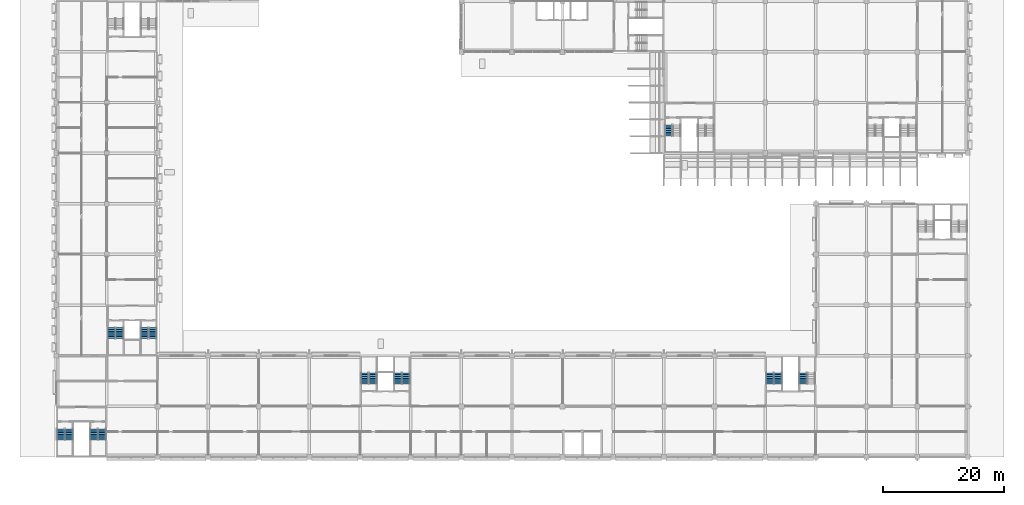
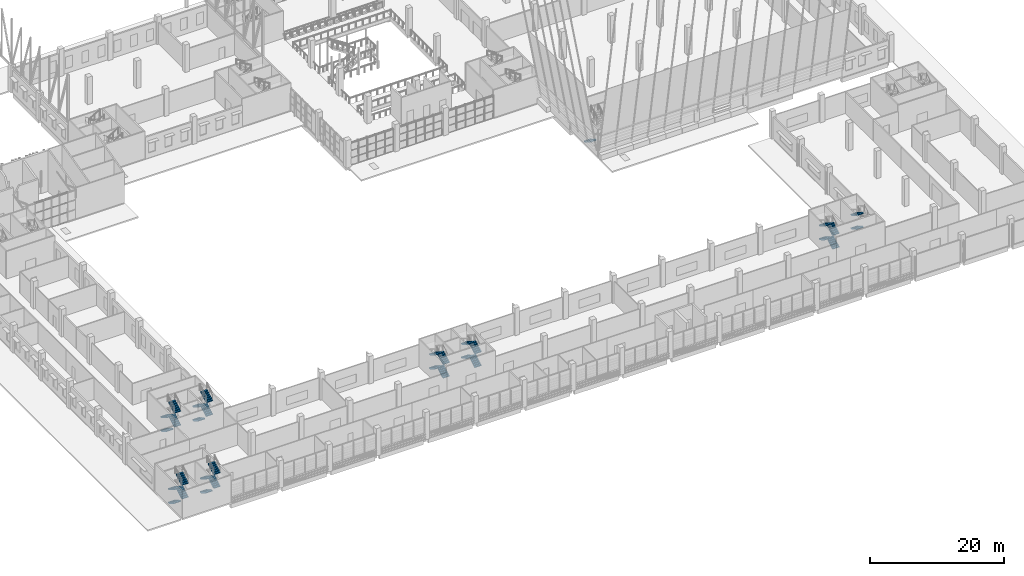
# One storey, part 43 of 101: 31 stair flights, 9 elements without a shape of their own.
"""IFC4 building model written with IfcOpenShell, lengths in metres."""

from ifc_helpers import new_model, si_unit, direction, frame, origin, place, context, subcontext, project, spatial, polyline, outline, extrude, material, type_object, element, aggregate, save


model = new_model("IFC4")

# Units and contexts
model_context = context("Model", 3, precision=1e-05, world=origin(), true_north=direction((0.0, 1.0)))
body_context = subcontext(model_context, "Body", "Model", "MODEL_VIEW")
ifc_project = project(units=[si_unit("LENGTHUNIT", "METRE"), si_unit("AREAUNIT", "SQUARE_METRE"), si_unit("VOLUMEUNIT", "CUBIC_METRE"), si_unit("PLANEANGLEUNIT", "RADIAN"), si_unit("MASSUNIT", "GRAM", prefix="KILO")], contexts=[model_context])

# Site, building, storey
site_placement = place(None, origin())
site = spatial("IfcSite", under=ifc_project, at=site_placement, CompositionType="ELEMENT")
building_placement = place(site_placement, origin())
building = spatial("IfcBuilding", under=site, at=building_placement, Name="Almond Square Museum", CompositionType="ELEMENT")
storey_placement = place(building_placement, frame((0.0, 0.0, 5.5)))
storey = spatial("IfcBuildingStorey", under=building, at=storey_placement, Name="L01", CompositionType="ELEMENT", Elevation=5.5)

# Stair, stair flight
ifc_material_1 = material(Name="Concrete C40/50", Category="concrete")
stair_type = type_object("IfcStairType", Name="Exit stair 28 risers of 179 mm", PredefinedType="HALF_TURN_STAIR", material=ifc_material_1)
stair_1_placement = place(storey_placement, origin())
stair_1 = element("IfcStair", 1, at=stair_1_placement, inside=storey, type_object=stair_type, Name="L01 stair H1-1", PredefinedType="HALF_TURN_STAIR")
ifc_material_2 = material(Name="Concrete C40/50", Category="concrete")
stair_flight_type = type_object("IfcStairFlightType", Name="Concrete flight", PredefinedType="STRAIGHT", material=ifc_material_2)
stair_flight_1_placement = place(storey_placement, frame((107.574951171875, 55.050048828125, 0.0), z_axis=(0.0, 0.0, 1.0), x_axis=(0.0, -1.0, 0.0)))
stair_flight_1 = element("IfcStairFlight", 2, at=stair_flight_1_placement, type_object=stair_flight_type, Name="ST-01 flight 1", NumberOfRisers=7, NumberOfTreads=6, PredefinedType="STRAIGHT", RiserHeight=0.178571429, TreadLength=0.3, context=body_context, shape_type="SweptSolid", body=[
    extrude(outline(polyline([(0.0, 0.0), (0.0, 0.178466796875), (0.300048828125, 0.178466796875), (0.300048828125, 0.357177734375), (0.60009765625, 0.357177734375), (0.60009765625, 0.53564453125), (0.89990234375, 0.53564453125), (0.89990234375, 0.71435546875), (1.199951171875, 0.71435546875), (1.199951171875, 0.892822265625), (1.5, 0.892822265625), (1.5, 1.071533203125), (1.800048828125, 1.071533203125), (1.800048828125, 1.25), (1.800048828125, 0.89697265625), (0.29296875, 0.0), (0.0, 0.0)])), frame((0.0, 0.574951171875, 0.0), z_axis=(0.0, -1.0, 0.0), x_axis=(1.0, 0.0, 0.0)), (0.0, 0.0, 1.0), 1.14990234375),
])
aggregate(stair_1, [stair_flight_1])

# Stair, stair flights
stair_2_placement = place(storey_placement, origin())
stair_2 = element("IfcStair", 3, at=stair_2_placement, inside=storey, type_object=stair_type, Name="L01 stair W1-1", PredefinedType="HALF_TURN_STAIR")
stair_flight_2_placement = place(storey_placement, frame((15.175048828125, 21.449951171875, 0.0), z_axis=(0.0, 0.0, 1.0), x_axis=(0.0, -1.0, 0.0)))
stair_flight_2 = element("IfcStairFlight", 4, at=stair_flight_2_placement, type_object=stair_flight_type, Name="ST-21 flight 1", NumberOfRisers=7, NumberOfTreads=6, PredefinedType="STRAIGHT", RiserHeight=0.178571429, TreadLength=0.3, context=body_context, shape_type="SweptSolid", body=[
    extrude(outline(polyline([(0.0, 0.0), (0.0, 0.178466796875), (0.300048828125, 0.178466796875), (0.300048828125, 0.357177734375), (0.60009765625, 0.357177734375), (0.60009765625, 0.53564453125), (0.89990234375, 0.53564453125), (0.89990234375, 0.71435546875), (1.199951171875, 0.71435546875), (1.199951171875, 0.892822265625), (1.5, 0.892822265625), (1.5, 1.071533203125), (1.800048828125, 1.071533203125), (1.800048828125, 1.25), (1.800048828125, 0.89697265625), (0.29296875, 0.0), (0.0, 0.0)])), frame((0.0, 0.574951171875, 0.0), z_axis=(0.0, -1.0, 0.0), x_axis=(1.0, 0.0, 0.0)), (0.0, 0.0, 1.0), 1.14990234375),
])
stair_flight_3_placement = place(storey_placement, frame((16.52490234375, 19.64990234375, 1.25), z_axis=(0.0, 0.0, 1.0), x_axis=(0.0, 1.0, 0.0)))
stair_flight_3 = element("IfcStairFlight", 5, at=stair_flight_3_placement, type_object=stair_flight_type, Name="ST-21 flight 2", NumberOfRisers=7, NumberOfTreads=6, PredefinedType="STRAIGHT", RiserHeight=0.178571429, TreadLength=0.3, context=body_context, shape_type="SweptSolid", body=[
    extrude(outline(polyline([(0.0, 0.0), (0.0, 0.178466796875), (0.300048828125, 0.178466796875), (0.300048828125, 0.357177734375), (0.60009765625, 0.357177734375), (0.60009765625, 0.53564453125), (0.89990234375, 0.53564453125), (0.89990234375, 0.71435546875), (1.199951171875, 0.71435546875), (1.199951171875, 0.892822265625), (1.5, 0.892822265625), (1.5, 1.071533203125), (1.800048828125, 1.071533203125), (1.800048828125, 1.25), (1.800048828125, 0.89697265625), (0.29296875, 0.0), (0.0, 0.0)])), frame((0.0, 0.574951171875, 0.0), z_axis=(0.0, -1.0, 0.0), x_axis=(1.0, 0.0, 0.0)), (0.0, 0.0, 1.0), 1.14990234375),
])
stair_flight_4_placement = place(storey_placement, frame((15.175048828125, 21.449951171875, 2.5), z_axis=(0.0, 0.0, 1.0), x_axis=(0.0, -1.0, 0.0)))
stair_flight_4 = element("IfcStairFlight", 6, at=stair_flight_4_placement, type_object=stair_flight_type, Name="ST-21 flight 3", NumberOfRisers=7, NumberOfTreads=6, PredefinedType="STRAIGHT", RiserHeight=0.178571429, TreadLength=0.3, context=body_context, shape_type="SweptSolid", body=[
    extrude(outline(polyline([(0.0, 0.0), (0.0, 0.178466796875), (0.300048828125, 0.178466796875), (0.300048828125, 0.357177734375), (0.60009765625, 0.357177734375), (0.60009765625, 0.53564453125), (0.89990234375, 0.53564453125), (0.89990234375, 0.71435546875), (1.199951171875, 0.71435546875), (1.199951171875, 0.892822265625), (1.5, 0.892822265625), (1.5, 1.071533203125), (1.800048828125, 1.071533203125), (1.800048828125, 1.25), (1.800048828125, 0.89697265625), (0.29296875, 0.0), (0.0, 0.0)])), frame((0.0, 0.574951171875, 0.0), z_axis=(0.0, -1.0, 0.0), x_axis=(1.0, 0.0, 0.0)), (0.0, 0.0, 1.0), 1.14990234375),
])
stair_flight_5_placement = place(storey_placement, frame((16.52490234375, 19.64990234375, 3.75), z_axis=(0.0, 0.0, 1.0), x_axis=(0.0, 1.0, 0.0)))
stair_flight_5 = element("IfcStairFlight", 7, at=stair_flight_5_placement, type_object=stair_flight_type, Name="ST-21 flight 4", NumberOfRisers=7, NumberOfTreads=6, PredefinedType="STRAIGHT", RiserHeight=0.178571429, TreadLength=0.3, context=body_context, shape_type="SweptSolid", body=[
    extrude(outline(polyline([(0.0, 0.0), (0.0, 0.178466796875), (0.300048828125, 0.178466796875), (0.300048828125, 0.357177734375), (0.60009765625, 0.357177734375), (0.60009765625, 0.53564453125), (0.89990234375, 0.53564453125), (0.89990234375, 0.71435546875), (1.199951171875, 0.71435546875), (1.199951171875, 0.892822265625), (1.5, 0.892822265625), (1.5, 1.071533203125), (1.800048828125, 1.071533203125), (1.800048828125, 1.25), (1.800048828125, 0.89697265625), (0.29296875, 0.0), (0.0, 0.0)])), frame((0.0, 0.574951171875, 0.0), z_axis=(0.0, -1.0, 0.0), x_axis=(1.0, 0.0, 0.0)), (0.0, 0.0, 1.0), 1.14990234375),
])
aggregate(stair_2, [stair_flight_2, stair_flight_3, stair_flight_4, stair_flight_5])

stair_3_placement = place(storey_placement, origin())
stair_3 = element("IfcStair", 8, at=stair_3_placement, inside=storey, type_object=stair_type, Name="L01 stair W1-2", PredefinedType="HALF_TURN_STAIR")
stair_flight_6_placement = place(storey_placement, frame((20.675048828125, 21.449951171875, 0.0), z_axis=(0.0, 0.0, 1.0), x_axis=(0.0, -1.0, 0.0)))
stair_flight_6 = element("IfcStairFlight", 9, at=stair_flight_6_placement, type_object=stair_flight_type, Name="ST-22 flight 1", NumberOfRisers=7, NumberOfTreads=6, PredefinedType="STRAIGHT", RiserHeight=0.178571429, TreadLength=0.3, context=body_context, shape_type="SweptSolid", body=[
    extrude(outline(polyline([(0.0, 0.0), (0.0, 0.178466796875), (0.300048828125, 0.178466796875), (0.300048828125, 0.357177734375), (0.60009765625, 0.357177734375), (0.60009765625, 0.53564453125), (0.89990234375, 0.53564453125), (0.89990234375, 0.71435546875), (1.199951171875, 0.71435546875), (1.199951171875, 0.892822265625), (1.5, 0.892822265625), (1.5, 1.071533203125), (1.800048828125, 1.071533203125), (1.800048828125, 1.25), (1.800048828125, 0.89697265625), (0.29296875, 0.0), (0.0, 0.0)])), frame((0.0, 0.574951171875, 0.0), z_axis=(0.0, -1.0, 0.0), x_axis=(1.0, 0.0, 0.0)), (0.0, 0.0, 1.0), 1.14990234375),
])
stair_flight_7_placement = place(storey_placement, frame((22.02490234375, 19.64990234375, 1.25), z_axis=(0.0, 0.0, 1.0), x_axis=(0.0, 1.0, 0.0)))
stair_flight_7 = element("IfcStairFlight", 10, at=stair_flight_7_placement, type_object=stair_flight_type, Name="ST-22 flight 2", NumberOfRisers=7, NumberOfTreads=6, PredefinedType="STRAIGHT", RiserHeight=0.178571429, TreadLength=0.3, context=body_context, shape_type="SweptSolid", body=[
    extrude(outline(polyline([(0.0, 0.0), (0.0, 0.178466796875), (0.300048828125, 0.178466796875), (0.300048828125, 0.357177734375), (0.60009765625, 0.357177734375), (0.60009765625, 0.53564453125), (0.89990234375, 0.53564453125), (0.89990234375, 0.71435546875), (1.199951171875, 0.71435546875), (1.199951171875, 0.892822265625), (1.5, 0.892822265625), (1.5, 1.071533203125), (1.800048828125, 1.071533203125), (1.800048828125, 1.25), (1.800048828125, 0.89697265625), (0.29296875, 0.0), (0.0, 0.0)])), frame((0.0, 0.574951171875, 0.0), z_axis=(0.0, -1.0, 0.0), x_axis=(1.0, 0.0, 0.0)), (0.0, 0.0, 1.0), 1.14990234375),
])
stair_flight_8_placement = place(storey_placement, frame((20.675048828125, 21.449951171875, 2.5), z_axis=(0.0, 0.0, 1.0), x_axis=(0.0, -1.0, 0.0)))
stair_flight_8 = element("IfcStairFlight", 11, at=stair_flight_8_placement, type_object=stair_flight_type, Name="ST-22 flight 3", NumberOfRisers=7, NumberOfTreads=6, PredefinedType="STRAIGHT", RiserHeight=0.178571429, TreadLength=0.3, context=body_context, shape_type="SweptSolid", body=[
    extrude(outline(polyline([(0.0, 0.0), (0.0, 0.178466796875), (0.300048828125, 0.178466796875), (0.300048828125, 0.357177734375), (0.60009765625, 0.357177734375), (0.60009765625, 0.53564453125), (0.89990234375, 0.53564453125), (0.89990234375, 0.71435546875), (1.199951171875, 0.71435546875), (1.199951171875, 0.892822265625), (1.5, 0.892822265625), (1.5, 1.071533203125), (1.800048828125, 1.071533203125), (1.800048828125, 1.25), (1.800048828125, 0.89697265625), (0.29296875, 0.0), (0.0, 0.0)])), frame((0.0, 0.574951171875, 0.0), z_axis=(0.0, -1.0, 0.0), x_axis=(1.0, 0.0, 0.0)), (0.0, 0.0, 1.0), 1.14990234375),
])
stair_flight_9_placement = place(storey_placement, frame((22.02490234375, 19.64990234375, 3.75), z_axis=(0.0, 0.0, 1.0), x_axis=(0.0, 1.0, 0.0)))
stair_flight_9 = element("IfcStairFlight", 12, at=stair_flight_9_placement, type_object=stair_flight_type, Name="ST-22 flight 4", NumberOfRisers=7, NumberOfTreads=6, PredefinedType="STRAIGHT", RiserHeight=0.178571429, TreadLength=0.3, context=body_context, shape_type="SweptSolid", body=[
    extrude(outline(polyline([(0.0, 0.0), (0.0, 0.178466796875), (0.300048828125, 0.178466796875), (0.300048828125, 0.357177734375), (0.60009765625, 0.357177734375), (0.60009765625, 0.53564453125), (0.89990234375, 0.53564453125), (0.89990234375, 0.71435546875), (1.199951171875, 0.71435546875), (1.199951171875, 0.892822265625), (1.5, 0.892822265625), (1.5, 1.071533203125), (1.800048828125, 1.071533203125), (1.800048828125, 1.25), (1.800048828125, 0.89697265625), (0.29296875, 0.0), (0.0, 0.0)])), frame((0.0, 0.574951171875, 0.0), z_axis=(0.0, -1.0, 0.0), x_axis=(1.0, 0.0, 0.0)), (0.0, 0.0, 1.0), 1.14990234375),
])
aggregate(stair_3, [stair_flight_6, stair_flight_7, stair_flight_8, stair_flight_9])

stair_4_placement = place(storey_placement, origin())
stair_4 = element("IfcStair", 13, at=stair_4_placement, inside=storey, type_object=stair_type, Name="L01 stair S1-1", PredefinedType="HALF_TURN_STAIR")
stair_flight_10_placement = place(storey_placement, frame((6.77490234375, 4.64990234375, 0.0), z_axis=(0.0, 0.0, 1.0), x_axis=(0.0, -1.0, 0.0)))
stair_flight_10 = element("IfcStairFlight", 14, at=stair_flight_10_placement, type_object=stair_flight_type, Name="ST-27 flight 1", NumberOfRisers=7, NumberOfTreads=6, PredefinedType="STRAIGHT", RiserHeight=0.178571429, TreadLength=0.3, context=body_context, shape_type="SweptSolid", body=[
    extrude(outline(polyline([(0.0, 0.0), (0.0, 0.178466796875), (0.300048828125, 0.178466796875), (0.300048828125, 0.357177734375), (0.60009765625, 0.357177734375), (0.60009765625, 0.53564453125), (0.89990234375, 0.53564453125), (0.89990234375, 0.71435546875), (1.199951171875, 0.71435546875), (1.199951171875, 0.892822265625), (1.5, 0.892822265625), (1.5, 1.071533203125), (1.800048828125, 1.071533203125), (1.800048828125, 1.25), (1.800048828125, 0.89697265625), (0.29296875, 0.0), (0.0, 0.0)])), frame((0.0, 0.574951171875, 0.0), z_axis=(0.0, -1.0, 0.0), x_axis=(1.0, 0.0, 0.0)), (0.0, 0.0, 1.0), 1.14990234375),
])
stair_flight_11_placement = place(storey_placement, frame((8.125, 2.85009765625, 1.25), z_axis=(0.0, 0.0, 1.0), x_axis=(0.0, 1.0, 0.0)))
stair_flight_11 = element("IfcStairFlight", 15, at=stair_flight_11_placement, type_object=stair_flight_type, Name="ST-27 flight 2", NumberOfRisers=7, NumberOfTreads=6, PredefinedType="STRAIGHT", RiserHeight=0.178571429, TreadLength=0.3, context=body_context, shape_type="SweptSolid", body=[
    extrude(outline(polyline([(0.0, 0.0), (0.0, 0.178466796875), (0.300048828125, 0.178466796875), (0.300048828125, 0.357177734375), (0.60009765625, 0.357177734375), (0.60009765625, 0.53564453125), (0.89990234375, 0.53564453125), (0.89990234375, 0.71435546875), (1.199951171875, 0.71435546875), (1.199951171875, 0.892822265625), (1.5, 0.892822265625), (1.5, 1.071533203125), (1.800048828125, 1.071533203125), (1.800048828125, 1.25), (1.800048828125, 0.89697265625), (0.29296875, 0.0), (0.0, 0.0)])), frame((0.0, 0.574951171875, 0.0), z_axis=(0.0, -1.0, 0.0), x_axis=(1.0, 0.0, 0.0)), (0.0, 0.0, 1.0), 1.14990234375),
])
stair_flight_12_placement = place(storey_placement, frame((6.77490234375, 4.64990234375, 2.5), z_axis=(0.0, 0.0, 1.0), x_axis=(0.0, -1.0, 0.0)))
stair_flight_12 = element("IfcStairFlight", 16, at=stair_flight_12_placement, type_object=stair_flight_type, Name="ST-27 flight 3", NumberOfRisers=7, NumberOfTreads=6, PredefinedType="STRAIGHT", RiserHeight=0.178571429, TreadLength=0.3, context=body_context, shape_type="SweptSolid", body=[
    extrude(outline(polyline([(0.0, 0.0), (0.0, 0.178466796875), (0.300048828125, 0.178466796875), (0.300048828125, 0.357177734375), (0.60009765625, 0.357177734375), (0.60009765625, 0.53564453125), (0.89990234375, 0.53564453125), (0.89990234375, 0.71435546875), (1.199951171875, 0.71435546875), (1.199951171875, 0.892822265625), (1.5, 0.892822265625), (1.5, 1.071533203125), (1.800048828125, 1.071533203125), (1.800048828125, 1.25), (1.800048828125, 0.89697265625), (0.29296875, 0.0), (0.0, 0.0)])), frame((0.0, 0.574951171875, 0.0), z_axis=(0.0, -1.0, 0.0), x_axis=(1.0, 0.0, 0.0)), (0.0, 0.0, 1.0), 1.14990234375),
])
stair_flight_13_placement = place(storey_placement, frame((8.125, 2.85009765625, 3.75), z_axis=(0.0, 0.0, 1.0), x_axis=(0.0, 1.0, 0.0)))
stair_flight_13 = element("IfcStairFlight", 17, at=stair_flight_13_placement, type_object=stair_flight_type, Name="ST-27 flight 4", NumberOfRisers=7, NumberOfTreads=6, PredefinedType="STRAIGHT", RiserHeight=0.178571429, TreadLength=0.3, context=body_context, shape_type="SweptSolid", body=[
    extrude(outline(polyline([(0.0, 0.0), (0.0, 0.178466796875), (0.300048828125, 0.178466796875), (0.300048828125, 0.357177734375), (0.60009765625, 0.357177734375), (0.60009765625, 0.53564453125), (0.89990234375, 0.53564453125), (0.89990234375, 0.71435546875), (1.199951171875, 0.71435546875), (1.199951171875, 0.892822265625), (1.5, 0.892822265625), (1.5, 1.071533203125), (1.800048828125, 1.071533203125), (1.800048828125, 1.25), (1.800048828125, 0.89697265625), (0.29296875, 0.0), (0.0, 0.0)])), frame((0.0, 0.574951171875, 0.0), z_axis=(0.0, -1.0, 0.0), x_axis=(1.0, 0.0, 0.0)), (0.0, 0.0, 1.0), 1.14990234375),
])
aggregate(stair_4, [stair_flight_10, stair_flight_11, stair_flight_12, stair_flight_13])

stair_5_placement = place(storey_placement, origin())
stair_5 = element("IfcStair", 18, at=stair_5_placement, inside=storey, type_object=stair_type, Name="L01 stair S1-2", PredefinedType="HALF_TURN_STAIR")
stair_flight_14_placement = place(storey_placement, frame((12.27490234375, 4.64990234375, 0.0), z_axis=(0.0, 0.0, 1.0), x_axis=(0.0, -1.0, 0.0)))
stair_flight_14 = element("IfcStairFlight", 19, at=stair_flight_14_placement, type_object=stair_flight_type, Name="ST-28 flight 1", NumberOfRisers=7, NumberOfTreads=6, PredefinedType="STRAIGHT", RiserHeight=0.178571429, TreadLength=0.3, context=body_context, shape_type="SweptSolid", body=[
    extrude(outline(polyline([(0.0, 0.0), (0.0, 0.178466796875), (0.300048828125, 0.178466796875), (0.300048828125, 0.357177734375), (0.60009765625, 0.357177734375), (0.60009765625, 0.53564453125), (0.89990234375, 0.53564453125), (0.89990234375, 0.71435546875), (1.199951171875, 0.71435546875), (1.199951171875, 0.892822265625), (1.5, 0.892822265625), (1.5, 1.071533203125), (1.800048828125, 1.071533203125), (1.800048828125, 1.25), (1.800048828125, 0.89697265625), (0.29296875, 0.0), (0.0, 0.0)])), frame((0.0, 0.574951171875, 0.0), z_axis=(0.0, -1.0, 0.0), x_axis=(1.0, 0.0, 0.0)), (0.0, 0.0, 1.0), 1.14990234375),
])
stair_flight_15_placement = place(storey_placement, frame((13.625, 2.85009765625, 1.25), z_axis=(0.0, 0.0, 1.0), x_axis=(0.0, 1.0, 0.0)))
stair_flight_15 = element("IfcStairFlight", 20, at=stair_flight_15_placement, type_object=stair_flight_type, Name="ST-28 flight 2", NumberOfRisers=7, NumberOfTreads=6, PredefinedType="STRAIGHT", RiserHeight=0.178571429, TreadLength=0.3, context=body_context, shape_type="SweptSolid", body=[
    extrude(outline(polyline([(0.0, 0.0), (0.0, 0.178466796875), (0.300048828125, 0.178466796875), (0.300048828125, 0.357177734375), (0.60009765625, 0.357177734375), (0.60009765625, 0.53564453125), (0.89990234375, 0.53564453125), (0.89990234375, 0.71435546875), (1.199951171875, 0.71435546875), (1.199951171875, 0.892822265625), (1.5, 0.892822265625), (1.5, 1.071533203125), (1.800048828125, 1.071533203125), (1.800048828125, 1.25), (1.800048828125, 0.89697265625), (0.29296875, 0.0), (0.0, 0.0)])), frame((0.0, 0.574951171875, 0.0), z_axis=(0.0, -1.0, 0.0), x_axis=(1.0, 0.0, 0.0)), (0.0, 0.0, 1.0), 1.14990234375),
])
stair_flight_16_placement = place(storey_placement, frame((12.27490234375, 4.64990234375, 2.5), z_axis=(0.0, 0.0, 1.0), x_axis=(0.0, -1.0, 0.0)))
stair_flight_16 = element("IfcStairFlight", 21, at=stair_flight_16_placement, type_object=stair_flight_type, Name="ST-28 flight 3", NumberOfRisers=7, NumberOfTreads=6, PredefinedType="STRAIGHT", RiserHeight=0.178571429, TreadLength=0.3, context=body_context, shape_type="SweptSolid", body=[
    extrude(outline(polyline([(0.0, 0.0), (0.0, 0.178466796875), (0.300048828125, 0.178466796875), (0.300048828125, 0.357177734375), (0.60009765625, 0.357177734375), (0.60009765625, 0.53564453125), (0.89990234375, 0.53564453125), (0.89990234375, 0.71435546875), (1.199951171875, 0.71435546875), (1.199951171875, 0.892822265625), (1.5, 0.892822265625), (1.5, 1.071533203125), (1.800048828125, 1.071533203125), (1.800048828125, 1.25), (1.800048828125, 0.89697265625), (0.29296875, 0.0), (0.0, 0.0)])), frame((0.0, 0.574951171875, 0.0), z_axis=(0.0, -1.0, 0.0), x_axis=(1.0, 0.0, 0.0)), (0.0, 0.0, 1.0), 1.14990234375),
])
stair_flight_17_placement = place(storey_placement, frame((13.625, 2.85009765625, 3.75), z_axis=(0.0, 0.0, 1.0), x_axis=(0.0, 1.0, 0.0)))
stair_flight_17 = element("IfcStairFlight", 22, at=stair_flight_17_placement, type_object=stair_flight_type, Name="ST-28 flight 4", NumberOfRisers=7, NumberOfTreads=6, PredefinedType="STRAIGHT", RiserHeight=0.178571429, TreadLength=0.3, context=body_context, shape_type="SweptSolid", body=[
    extrude(outline(polyline([(0.0, 0.0), (0.0, 0.178466796875), (0.300048828125, 0.178466796875), (0.300048828125, 0.357177734375), (0.60009765625, 0.357177734375), (0.60009765625, 0.53564453125), (0.89990234375, 0.53564453125), (0.89990234375, 0.71435546875), (1.199951171875, 0.71435546875), (1.199951171875, 0.892822265625), (1.5, 0.892822265625), (1.5, 1.071533203125), (1.800048828125, 1.071533203125), (1.800048828125, 1.25), (1.800048828125, 0.89697265625), (0.29296875, 0.0), (0.0, 0.0)])), frame((0.0, 0.574951171875, 0.0), z_axis=(0.0, -1.0, 0.0), x_axis=(1.0, 0.0, 0.0)), (0.0, 0.0, 1.0), 1.14990234375),
])
aggregate(stair_5, [stair_flight_14, stair_flight_15, stair_flight_16, stair_flight_17])

stair_6_placement = place(storey_placement, origin())
stair_6 = element("IfcStair", 23, at=stair_6_placement, inside=storey, type_object=stair_type, Name="L01 stair S2-1", PredefinedType="HALF_TURN_STAIR")
stair_flight_18_placement = place(storey_placement, frame((58.52490234375, 12.14990234375, 0.0), z_axis=(0.0, 0.0, 1.0), x_axis=(0.0, 1.0, 0.0)))
stair_flight_18 = element("IfcStairFlight", 24, at=stair_flight_18_placement, type_object=stair_flight_type, Name="ST-29 flight 1", NumberOfRisers=7, NumberOfTreads=6, PredefinedType="STRAIGHT", RiserHeight=0.178571429, TreadLength=0.3, context=body_context, shape_type="SweptSolid", body=[
    extrude(outline(polyline([(0.0, 0.0), (0.0, 0.178466796875), (0.300048828125, 0.178466796875), (0.300048828125, 0.357177734375), (0.60009765625, 0.357177734375), (0.60009765625, 0.53564453125), (0.89990234375, 0.53564453125), (0.89990234375, 0.71435546875), (1.199951171875, 0.71435546875), (1.199951171875, 0.892822265625), (1.5, 0.892822265625), (1.5, 1.071533203125), (1.800048828125, 1.071533203125), (1.800048828125, 1.25), (1.800048828125, 0.89697265625), (0.29296875, 0.0), (0.0, 0.0)])), frame((0.0, 0.574951171875, 0.0), z_axis=(0.0, -1.0, 0.0), x_axis=(1.0, 0.0, 0.0)), (0.0, 0.0, 1.0), 1.14990234375),
])
stair_flight_19_placement = place(storey_placement, frame((57.175048828125, 13.949951171875, 1.25), z_axis=(0.0, 0.0, 1.0), x_axis=(0.0, -1.0, 0.0)))
stair_flight_19 = element("IfcStairFlight", 25, at=stair_flight_19_placement, type_object=stair_flight_type, Name="ST-29 flight 2", NumberOfRisers=7, NumberOfTreads=6, PredefinedType="STRAIGHT", RiserHeight=0.178571429, TreadLength=0.3, context=body_context, shape_type="SweptSolid", body=[
    extrude(outline(polyline([(0.0, 0.0), (0.0, 0.178466796875), (0.300048828125, 0.178466796875), (0.300048828125, 0.357177734375), (0.60009765625, 0.357177734375), (0.60009765625, 0.53564453125), (0.89990234375, 0.53564453125), (0.89990234375, 0.71435546875), (1.199951171875, 0.71435546875), (1.199951171875, 0.892822265625), (1.5, 0.892822265625), (1.5, 1.071533203125), (1.800048828125, 1.071533203125), (1.800048828125, 1.25), (1.800048828125, 0.89697265625), (0.29296875, 0.0), (0.0, 0.0)])), frame((0.0, 0.574951171875, 0.0), z_axis=(0.0, -1.0, 0.0), x_axis=(1.0, 0.0, 0.0)), (0.0, 0.0, 1.0), 1.14990234375),
])
stair_flight_20_placement = place(storey_placement, frame((58.52490234375, 12.14990234375, 2.5), z_axis=(0.0, 0.0, 1.0), x_axis=(0.0, 1.0, 0.0)))
stair_flight_20 = element("IfcStairFlight", 26, at=stair_flight_20_placement, type_object=stair_flight_type, Name="ST-29 flight 3", NumberOfRisers=7, NumberOfTreads=6, PredefinedType="STRAIGHT", RiserHeight=0.178571429, TreadLength=0.3, context=body_context, shape_type="SweptSolid", body=[
    extrude(outline(polyline([(0.0, 0.0), (0.0, 0.178466796875), (0.300048828125, 0.178466796875), (0.300048828125, 0.357177734375), (0.60009765625, 0.357177734375), (0.60009765625, 0.53564453125), (0.89990234375, 0.53564453125), (0.89990234375, 0.71435546875), (1.199951171875, 0.71435546875), (1.199951171875, 0.892822265625), (1.5, 0.892822265625), (1.5, 1.071533203125), (1.800048828125, 1.071533203125), (1.800048828125, 1.25), (1.800048828125, 0.89697265625), (0.29296875, 0.0), (0.0, 0.0)])), frame((0.0, 0.574951171875, 0.0), z_axis=(0.0, -1.0, 0.0), x_axis=(1.0, 0.0, 0.0)), (0.0, 0.0, 1.0), 1.14990234375),
])
stair_flight_21_placement = place(storey_placement, frame((57.175048828125, 13.949951171875, 3.75), z_axis=(0.0, 0.0, 1.0), x_axis=(0.0, -1.0, 0.0)))
stair_flight_21 = element("IfcStairFlight", 27, at=stair_flight_21_placement, type_object=stair_flight_type, Name="ST-29 flight 4", NumberOfRisers=7, NumberOfTreads=6, PredefinedType="STRAIGHT", RiserHeight=0.178571429, TreadLength=0.3, context=body_context, shape_type="SweptSolid", body=[
    extrude(outline(polyline([(0.0, 0.0), (0.0, 0.178466796875), (0.300048828125, 0.178466796875), (0.300048828125, 0.357177734375), (0.60009765625, 0.357177734375), (0.60009765625, 0.53564453125), (0.89990234375, 0.53564453125), (0.89990234375, 0.71435546875), (1.199951171875, 0.71435546875), (1.199951171875, 0.892822265625), (1.5, 0.892822265625), (1.5, 1.071533203125), (1.800048828125, 1.071533203125), (1.800048828125, 1.25), (1.800048828125, 0.89697265625), (0.29296875, 0.0), (0.0, 0.0)])), frame((0.0, 0.574951171875, 0.0), z_axis=(0.0, -1.0, 0.0), x_axis=(1.0, 0.0, 0.0)), (0.0, 0.0, 1.0), 1.14990234375),
])
aggregate(stair_6, [stair_flight_18, stair_flight_19, stair_flight_20, stair_flight_21])

stair_7_placement = place(storey_placement, origin())
stair_7 = element("IfcStair", 28, at=stair_7_placement, inside=storey, type_object=stair_type, Name="L01 stair S2-2", PredefinedType="HALF_TURN_STAIR")
stair_flight_22_placement = place(storey_placement, frame((64.02490234375, 12.14990234375, 0.0), z_axis=(0.0, 0.0, 1.0), x_axis=(0.0, 1.0, 0.0)))
stair_flight_22 = element("IfcStairFlight", 29, at=stair_flight_22_placement, type_object=stair_flight_type, Name="ST-30 flight 1", NumberOfRisers=7, NumberOfTreads=6, PredefinedType="STRAIGHT", RiserHeight=0.178571429, TreadLength=0.3, context=body_context, shape_type="SweptSolid", body=[
    extrude(outline(polyline([(0.0, 0.0), (0.0, 0.178466796875), (0.300048828125, 0.178466796875), (0.300048828125, 0.357177734375), (0.60009765625, 0.357177734375), (0.60009765625, 0.53564453125), (0.89990234375, 0.53564453125), (0.89990234375, 0.71435546875), (1.199951171875, 0.71435546875), (1.199951171875, 0.892822265625), (1.5, 0.892822265625), (1.5, 1.071533203125), (1.800048828125, 1.071533203125), (1.800048828125, 1.25), (1.800048828125, 0.89697265625), (0.29296875, 0.0), (0.0, 0.0)])), frame((0.0, 0.574951171875, 0.0), z_axis=(0.0, -1.0, 0.0), x_axis=(1.0, 0.0, 0.0)), (0.0, 0.0, 1.0), 1.14990234375),
])
stair_flight_23_placement = place(storey_placement, frame((62.675048828125, 13.949951171875, 1.25), z_axis=(0.0, 0.0, 1.0), x_axis=(0.0, -1.0, 0.0)))
stair_flight_23 = element("IfcStairFlight", 30, at=stair_flight_23_placement, type_object=stair_flight_type, Name="ST-30 flight 2", NumberOfRisers=7, NumberOfTreads=6, PredefinedType="STRAIGHT", RiserHeight=0.178571429, TreadLength=0.3, context=body_context, shape_type="SweptSolid", body=[
    extrude(outline(polyline([(0.0, 0.0), (0.0, 0.178466796875), (0.300048828125, 0.178466796875), (0.300048828125, 0.357177734375), (0.60009765625, 0.357177734375), (0.60009765625, 0.53564453125), (0.89990234375, 0.53564453125), (0.89990234375, 0.71435546875), (1.199951171875, 0.71435546875), (1.199951171875, 0.892822265625), (1.5, 0.892822265625), (1.5, 1.071533203125), (1.800048828125, 1.071533203125), (1.800048828125, 1.25), (1.800048828125, 0.89697265625), (0.29296875, 0.0), (0.0, 0.0)])), frame((0.0, 0.574951171875, 0.0), z_axis=(0.0, -1.0, 0.0), x_axis=(1.0, 0.0, 0.0)), (0.0, 0.0, 1.0), 1.14990234375),
])
stair_flight_24_placement = place(storey_placement, frame((64.02490234375, 12.14990234375, 2.5), z_axis=(0.0, 0.0, 1.0), x_axis=(0.0, 1.0, 0.0)))
stair_flight_24 = element("IfcStairFlight", 31, at=stair_flight_24_placement, type_object=stair_flight_type, Name="ST-30 flight 3", NumberOfRisers=7, NumberOfTreads=6, PredefinedType="STRAIGHT", RiserHeight=0.178571429, TreadLength=0.3, context=body_context, shape_type="SweptSolid", body=[
    extrude(outline(polyline([(0.0, 0.0), (0.0, 0.178466796875), (0.300048828125, 0.178466796875), (0.300048828125, 0.357177734375), (0.60009765625, 0.357177734375), (0.60009765625, 0.53564453125), (0.89990234375, 0.53564453125), (0.89990234375, 0.71435546875), (1.199951171875, 0.71435546875), (1.199951171875, 0.892822265625), (1.5, 0.892822265625), (1.5, 1.071533203125), (1.800048828125, 1.071533203125), (1.800048828125, 1.25), (1.800048828125, 0.89697265625), (0.29296875, 0.0), (0.0, 0.0)])), frame((0.0, 0.574951171875, 0.0), z_axis=(0.0, -1.0, 0.0), x_axis=(1.0, 0.0, 0.0)), (0.0, 0.0, 1.0), 1.14990234375),
])
stair_flight_25_placement = place(storey_placement, frame((62.675048828125, 13.949951171875, 3.75), z_axis=(0.0, 0.0, 1.0), x_axis=(0.0, -1.0, 0.0)))
stair_flight_25 = element("IfcStairFlight", 32, at=stair_flight_25_placement, type_object=stair_flight_type, Name="ST-30 flight 4", NumberOfRisers=7, NumberOfTreads=6, PredefinedType="STRAIGHT", RiserHeight=0.178571429, TreadLength=0.3, context=body_context, shape_type="SweptSolid", body=[
    extrude(outline(polyline([(0.0, 0.0), (0.0, 0.178466796875), (0.300048828125, 0.178466796875), (0.300048828125, 0.357177734375), (0.60009765625, 0.357177734375), (0.60009765625, 0.53564453125), (0.89990234375, 0.53564453125), (0.89990234375, 0.71435546875), (1.199951171875, 0.71435546875), (1.199951171875, 0.892822265625), (1.5, 0.892822265625), (1.5, 1.071533203125), (1.800048828125, 1.071533203125), (1.800048828125, 1.25), (1.800048828125, 0.89697265625), (0.29296875, 0.0), (0.0, 0.0)])), frame((0.0, 0.574951171875, 0.0), z_axis=(0.0, -1.0, 0.0), x_axis=(1.0, 0.0, 0.0)), (0.0, 0.0, 1.0), 1.14990234375),
])
aggregate(stair_7, [stair_flight_22, stair_flight_23, stair_flight_24, stair_flight_25])

stair_8_placement = place(storey_placement, origin())
stair_8 = element("IfcStair", 33, at=stair_8_placement, inside=storey, type_object=stair_type, Name="L01 stair S3-1", PredefinedType="HALF_TURN_STAIR")
stair_flight_26_placement = place(storey_placement, frame((125.72509765625, 12.14990234375, 0.0), z_axis=(0.0, 0.0, 1.0), x_axis=(0.0, 1.0, 0.0)))
stair_flight_26 = element("IfcStairFlight", 34, at=stair_flight_26_placement, type_object=stair_flight_type, Name="ST-31 flight 1", NumberOfRisers=7, NumberOfTreads=6, PredefinedType="STRAIGHT", RiserHeight=0.178571429, TreadLength=0.3, context=body_context, shape_type="SweptSolid", body=[
    extrude(outline(polyline([(0.0, 0.0), (0.0, 0.178466796875), (0.300048828125, 0.178466796875), (0.300048828125, 0.357177734375), (0.60009765625, 0.357177734375), (0.60009765625, 0.53564453125), (0.89990234375, 0.53564453125), (0.89990234375, 0.71435546875), (1.199951171875, 0.71435546875), (1.199951171875, 0.892822265625), (1.5, 0.892822265625), (1.5, 1.071533203125), (1.800048828125, 1.071533203125), (1.800048828125, 1.25), (1.800048828125, 0.89697265625), (0.29296875, 0.0), (0.0, 0.0)])), frame((0.0, 0.574951171875, 0.0), z_axis=(0.0, -1.0, 0.0), x_axis=(1.0, 0.0, 0.0)), (0.0, 0.0, 1.0), 1.14990234375),
])
stair_flight_27_placement = place(storey_placement, frame((124.375, 13.949951171875, 1.25), z_axis=(0.0, 0.0, 1.0), x_axis=(0.0, -1.0, 0.0)))
stair_flight_27 = element("IfcStairFlight", 35, at=stair_flight_27_placement, type_object=stair_flight_type, Name="ST-31 flight 2", NumberOfRisers=7, NumberOfTreads=6, PredefinedType="STRAIGHT", RiserHeight=0.178571429, TreadLength=0.3, context=body_context, shape_type="SweptSolid", body=[
    extrude(outline(polyline([(0.0, 0.0), (0.0, 0.178466796875), (0.300048828125, 0.178466796875), (0.300048828125, 0.357177734375), (0.60009765625, 0.357177734375), (0.60009765625, 0.53564453125), (0.89990234375, 0.53564453125), (0.89990234375, 0.71435546875), (1.199951171875, 0.71435546875), (1.199951171875, 0.892822265625), (1.5, 0.892822265625), (1.5, 1.071533203125), (1.800048828125, 1.071533203125), (1.800048828125, 1.25), (1.800048828125, 0.89697265625), (0.29296875, 0.0), (0.0, 0.0)])), frame((0.0, 0.574951171875, 0.0), z_axis=(0.0, -1.0, 0.0), x_axis=(1.0, 0.0, 0.0)), (0.0, 0.0, 1.0), 1.14990234375),
])
stair_flight_28_placement = place(storey_placement, frame((125.72509765625, 12.14990234375, 2.5), z_axis=(0.0, 0.0, 1.0), x_axis=(0.0, 1.0, 0.0)))
stair_flight_28 = element("IfcStairFlight", 36, at=stair_flight_28_placement, type_object=stair_flight_type, Name="ST-31 flight 3", NumberOfRisers=7, NumberOfTreads=6, PredefinedType="STRAIGHT", RiserHeight=0.178571429, TreadLength=0.3, context=body_context, shape_type="SweptSolid", body=[
    extrude(outline(polyline([(0.0, 0.0), (0.0, 0.178466796875), (0.300048828125, 0.178466796875), (0.300048828125, 0.357177734375), (0.60009765625, 0.357177734375), (0.60009765625, 0.53564453125), (0.89990234375, 0.53564453125), (0.89990234375, 0.71435546875), (1.199951171875, 0.71435546875), (1.199951171875, 0.892822265625), (1.5, 0.892822265625), (1.5, 1.071533203125), (1.800048828125, 1.071533203125), (1.800048828125, 1.25), (1.800048828125, 0.89697265625), (0.29296875, 0.0), (0.0, 0.0)])), frame((0.0, 0.574951171875, 0.0), z_axis=(0.0, -1.0, 0.0), x_axis=(1.0, 0.0, 0.0)), (0.0, 0.0, 1.0), 1.14990234375),
])
stair_flight_29_placement = place(storey_placement, frame((124.375, 13.949951171875, 3.75), z_axis=(0.0, 0.0, 1.0), x_axis=(0.0, -1.0, 0.0)))
stair_flight_29 = element("IfcStairFlight", 37, at=stair_flight_29_placement, type_object=stair_flight_type, Name="ST-31 flight 4", NumberOfRisers=7, NumberOfTreads=6, PredefinedType="STRAIGHT", RiserHeight=0.178571429, TreadLength=0.3, context=body_context, shape_type="SweptSolid", body=[
    extrude(outline(polyline([(0.0, 0.0), (0.0, 0.178466796875), (0.300048828125, 0.178466796875), (0.300048828125, 0.357177734375), (0.60009765625, 0.357177734375), (0.60009765625, 0.53564453125), (0.89990234375, 0.53564453125), (0.89990234375, 0.71435546875), (1.199951171875, 0.71435546875), (1.199951171875, 0.892822265625), (1.5, 0.892822265625), (1.5, 1.071533203125), (1.800048828125, 1.071533203125), (1.800048828125, 1.25), (1.800048828125, 0.89697265625), (0.29296875, 0.0), (0.0, 0.0)])), frame((0.0, 0.574951171875, 0.0), z_axis=(0.0, -1.0, 0.0), x_axis=(1.0, 0.0, 0.0)), (0.0, 0.0, 1.0), 1.14990234375),
])
aggregate(stair_8, [stair_flight_26, stair_flight_27, stair_flight_28, stair_flight_29])

stair_9_placement = place(storey_placement, origin())
stair_9 = element("IfcStair", 38, at=stair_9_placement, inside=storey, type_object=stair_type, Name="L01 stair S3-2", PredefinedType="HALF_TURN_STAIR")
stair_flight_30_placement = place(storey_placement, frame((129.875, 13.949951171875, 1.25), z_axis=(0.0, 0.0, 1.0), x_axis=(0.0, -1.0, 0.0)))
stair_flight_30 = element("IfcStairFlight", 39, at=stair_flight_30_placement, type_object=stair_flight_type, Name="ST-32 flight 2", NumberOfRisers=7, NumberOfTreads=6, PredefinedType="STRAIGHT", RiserHeight=0.178571429, TreadLength=0.3, context=body_context, shape_type="SweptSolid", body=[
    extrude(outline(polyline([(0.0, 0.0), (0.0, 0.178466796875), (0.300048828125, 0.178466796875), (0.300048828125, 0.357177734375), (0.60009765625, 0.357177734375), (0.60009765625, 0.53564453125), (0.89990234375, 0.53564453125), (0.89990234375, 0.71435546875), (1.199951171875, 0.71435546875), (1.199951171875, 0.892822265625), (1.5, 0.892822265625), (1.5, 1.071533203125), (1.800048828125, 1.071533203125), (1.800048828125, 1.25), (1.800048828125, 0.89697265625), (0.29296875, 0.0), (0.0, 0.0)])), frame((0.0, 0.574951171875, 0.0), z_axis=(0.0, -1.0, 0.0), x_axis=(1.0, 0.0, 0.0)), (0.0, 0.0, 1.0), 1.14990234375),
])
stair_flight_31_placement = place(storey_placement, frame((129.875, 13.949951171875, 3.75), z_axis=(0.0, 0.0, 1.0), x_axis=(0.0, -1.0, 0.0)))
stair_flight_31 = element("IfcStairFlight", 40, at=stair_flight_31_placement, type_object=stair_flight_type, Name="ST-32 flight 4", NumberOfRisers=7, NumberOfTreads=6, PredefinedType="STRAIGHT", RiserHeight=0.178571429, TreadLength=0.3, context=body_context, shape_type="SweptSolid", body=[
    extrude(outline(polyline([(0.0, 0.0), (0.0, 0.178466796875), (0.300048828125, 0.178466796875), (0.300048828125, 0.357177734375), (0.60009765625, 0.357177734375), (0.60009765625, 0.53564453125), (0.89990234375, 0.53564453125), (0.89990234375, 0.71435546875), (1.199951171875, 0.71435546875), (1.199951171875, 0.892822265625), (1.5, 0.892822265625), (1.5, 1.071533203125), (1.800048828125, 1.071533203125), (1.800048828125, 1.25), (1.800048828125, 0.89697265625), (0.29296875, 0.0), (0.0, 0.0)])), frame((0.0, 0.574951171875, 0.0), z_axis=(0.0, -1.0, 0.0), x_axis=(1.0, 0.0, 0.0)), (0.0, 0.0, 1.0), 1.14990234375),
])
aggregate(stair_9, [stair_flight_30, stair_flight_31])

save(model, "model.ifc")
